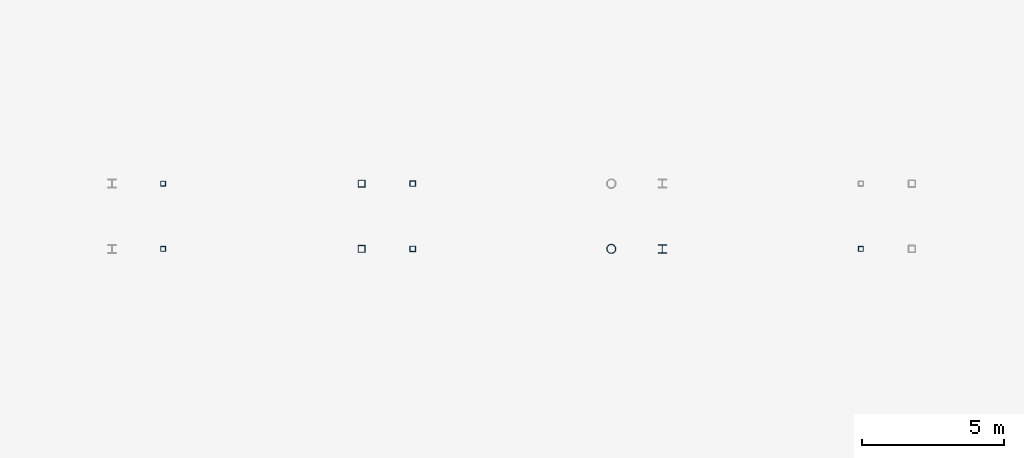
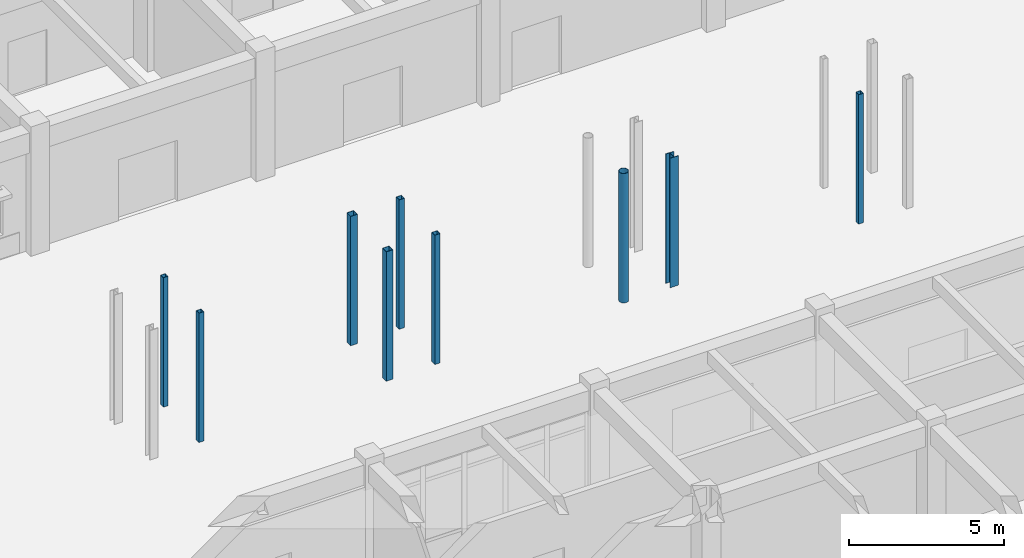
# One storey, part 16 of 121: 9 columns.
"""IFC4 building model written with IfcOpenShell, lengths in metres."""

from ifc_helpers import new_model, si_unit, direction, frame, origin, origin_2d, place, context, subcontext, project, spatial, hollow_rectangle, hollow_circle, i_section, extrude, material, material_profile, profile_set, type_object, element, save


model = new_model("IFC4")

# Units and contexts
model_context = context("Model", 3, precision=1e-05, world=origin(), true_north=direction((0.0, 1.0)))
body_context = subcontext(model_context, "Body", "Model", "MODEL_VIEW")
ifc_project = project(units=[si_unit("LENGTHUNIT", "METRE"), si_unit("AREAUNIT", "SQUARE_METRE"), si_unit("VOLUMEUNIT", "CUBIC_METRE"), si_unit("PLANEANGLEUNIT", "RADIAN"), si_unit("MASSUNIT", "GRAM", prefix="KILO")], contexts=[model_context])

# Site, building, storey
site_placement = place(None, origin())
site = spatial("IfcSite", under=ifc_project, at=site_placement, CompositionType="ELEMENT")
building_placement = place(site_placement, origin())
building = spatial("IfcBuilding", under=site, at=building_placement, Name="Malvenik Polytechnic", CompositionType="ELEMENT")
storey_placement = place(building_placement, origin())
storey = spatial("IfcBuildingStorey", under=building, at=storey_placement, Name="L00", CompositionType="ELEMENT", Elevation=0.0)

# Columns
ifc_material_1 = material(Name="Steel S355J2H", Category="steel")
ifc_material_profile_1 = material_profile(ifc_material_1, hollow_rectangle(XDim=0.25, YDim=0.25, WallThickness=0.010009765625, at=origin_2d()), Name="SHS 250x250x10.0")
ifc_profile_set_1 = profile_set([ifc_material_profile_1], Name="Steel S355J2H")
column_type_1 = type_object("IfcColumnType", Name="STR-SCOL-SC-01", PredefinedType="COLUMN", material=ifc_profile_set_1)
for number, where, z_axis, x_axis, name in (
    (1, (39.800048828125, 103.14990234375, 0.0), (0.0, 0.0, 1.0), (1.0, 0.0, 0.0), "Bridge-Ramp Support Column SC-01 L00"),
    (2, (39.800048828125, 105.449951171875, 0.0), (0.0, 0.0, 1.0), (1.0, 0.0, 0.0), "Bridge-Ramp Support Column SC-01 L00"),
):
    element("IfcColumn", number, at=place(storey_placement, frame(where, z_axis=z_axis, x_axis=x_axis)), inside=storey, type_object=column_type_1, Name=name, PredefinedType="COLUMN", context=body_context, shape_type="SweptSolid", body=[
        extrude(hollow_rectangle(XDim=0.25, YDim=0.25, WallThickness=0.010009765625, at=origin_2d()), origin(), (0.0, 0.0, 1.0), 5.10009765625),
    ])
ifc_material_profile_2 = material_profile(ifc_material_1, hollow_rectangle(XDim=0.199951171875, YDim=0.199951171875, WallThickness=0.010009765625, at=origin_2d()), Name="SHS 200x200x10.0")
ifc_profile_set_2 = profile_set([ifc_material_profile_2], Name="Steel S355J2H")
column_type_2 = type_object("IfcColumnType", Name="STR-SCOL-SC-02", PredefinedType="COLUMN", material=ifc_profile_set_2)
for number, where, z_axis, x_axis, name in (
    (3, (41.60009765625, 103.14990234375, 0.0), (0.0, 0.0, 1.0), (1.0, 0.0, 0.0), "Bridge-Ramp Support Column SC-02 L00"),
    (4, (41.60009765625, 105.449951171875, 0.0), (0.0, 0.0, 1.0), (1.0, 0.0, 0.0), "Bridge-Ramp Support Column SC-02 L00"),
):
    element("IfcColumn", number, at=place(storey_placement, frame(where, z_axis=z_axis, x_axis=x_axis)), inside=storey, type_object=column_type_2, Name=name, PredefinedType="COLUMN", context=body_context, shape_type="SweptSolid", body=[
        extrude(hollow_rectangle(XDim=0.199951171875, YDim=0.199951171875, WallThickness=0.010009765625, at=origin_2d()), origin(), (0.0, 0.0, 1.0), 5.10009765625),
    ])
ifc_material_profile_3 = material_profile(ifc_material_1, hollow_circle(Radius=0.161865234375, WallThickness=0.012451171875, at=origin_2d()), Name="CHS 323.9x12.5")
ifc_profile_set_3 = profile_set([ifc_material_profile_3], Name="Steel S355J2H")
column_type_3 = type_object("IfcColumnType", Name="STR-SCOL-SC-04", PredefinedType="COLUMN", material=ifc_profile_set_3)
column_1_placement = place(storey_placement, frame((48.60009765625, 103.14990234375, 0.0), z_axis=(0.0, 0.0, 1.0), x_axis=(1.0, 0.0, 0.0)))
element("IfcColumn", 5, at=column_1_placement, inside=storey, type_object=column_type_3, Name="Bridge-Ramp Support Column SC-04 L00", PredefinedType="COLUMN", context=body_context, shape_type="SweptSolid", body=[
    extrude(hollow_circle(Radius=0.161865234375, WallThickness=0.012451171875, at=origin_2d()), origin(), (0.0, 0.0, 1.0), 5.10009765625),
])
ifc_material_2 = material(Name="Steel S355", Category="steel")
ifc_material_profile_4 = material_profile(ifc_material_2, i_section(OverallWidth=0.300048828125, OverallDepth=0.300048828125, WebThickness=0.010986328125, FlangeThickness=0.01904296875, FilletRadius=0.027099609375, at=origin_2d()), Name="HEB 300")
ifc_profile_set_4 = profile_set([ifc_material_profile_4], Name="Steel S355")
column_type_4 = type_object("IfcColumnType", Name="STR-SCOL-SC-05", PredefinedType="COLUMN", material=ifc_profile_set_4)
column_2_placement = place(storey_placement, frame((50.39990234375, 103.14990234375, 0.0), z_axis=(0.0, 0.0, 1.0), x_axis=(1.0, 0.0, 0.0)))
element("IfcColumn", 6, at=column_2_placement, inside=storey, type_object=column_type_4, Name="Bridge-Ramp Support Column SC-05 L00", PredefinedType="COLUMN", context=body_context, shape_type="SweptSolid", body=[
    extrude(i_section(OverallWidth=0.300048828125, OverallDepth=0.300048828125, WebThickness=0.010986328125, FlangeThickness=0.01904296875, FilletRadius=0.027099609375, at=origin_2d()), origin(), (0.0, 0.0, 1.0), 5.10009765625),
])
ifc_material_profile_5 = material_profile(ifc_material_1, hollow_rectangle(XDim=0.179931640625, YDim=0.179931640625, WallThickness=0.008056640625, at=origin_2d()), Name="SHS 180x180x8.0")
ifc_profile_set_5 = profile_set([ifc_material_profile_5], Name="Steel S355J2H")
column_type_5 = type_object("IfcColumnType", Name="STR-SCOL-SC-06", PredefinedType="COLUMN", material=ifc_profile_set_5)
for number, where, z_axis, x_axis, name in (
    (7, (32.800048828125, 103.14990234375, 0.0), (0.0, 0.0, 1.0), (1.0, 0.0, 0.0), "Bridge-Ramp Support Column SC-06 L00"),
    (8, (32.800048828125, 105.449951171875, 0.0), (0.0, 0.0, 1.0), (1.0, 0.0, 0.0), "Bridge-Ramp Support Column SC-06 L00"),
    (9, (57.39990234375, 103.14990234375, 0.0), (0.0, 0.0, 1.0), (1.0, 0.0, 0.0), "Bridge-Ramp Support Column SC-06 L00"),
):
    element("IfcColumn", number, at=place(storey_placement, frame(where, z_axis=z_axis, x_axis=x_axis)), inside=storey, type_object=column_type_5, Name=name, PredefinedType="COLUMN", context=body_context, shape_type="SweptSolid", body=[
        extrude(hollow_rectangle(XDim=0.179931640625, YDim=0.179931640625, WallThickness=0.008056640625, at=origin_2d()), origin(), (0.0, 0.0, 1.0), 5.10009765625),
    ])

save(model, "model.ifc")
